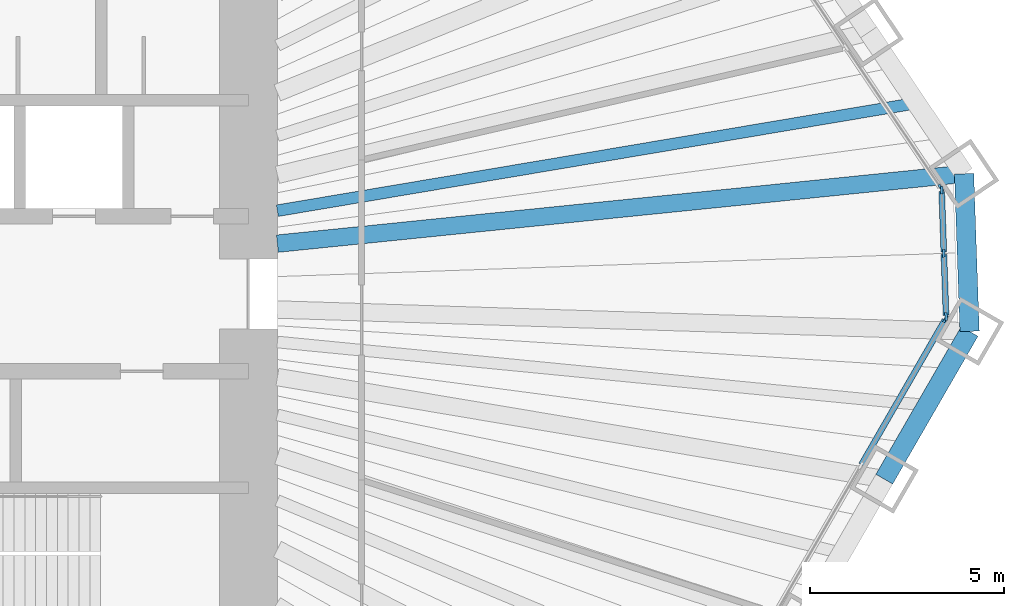
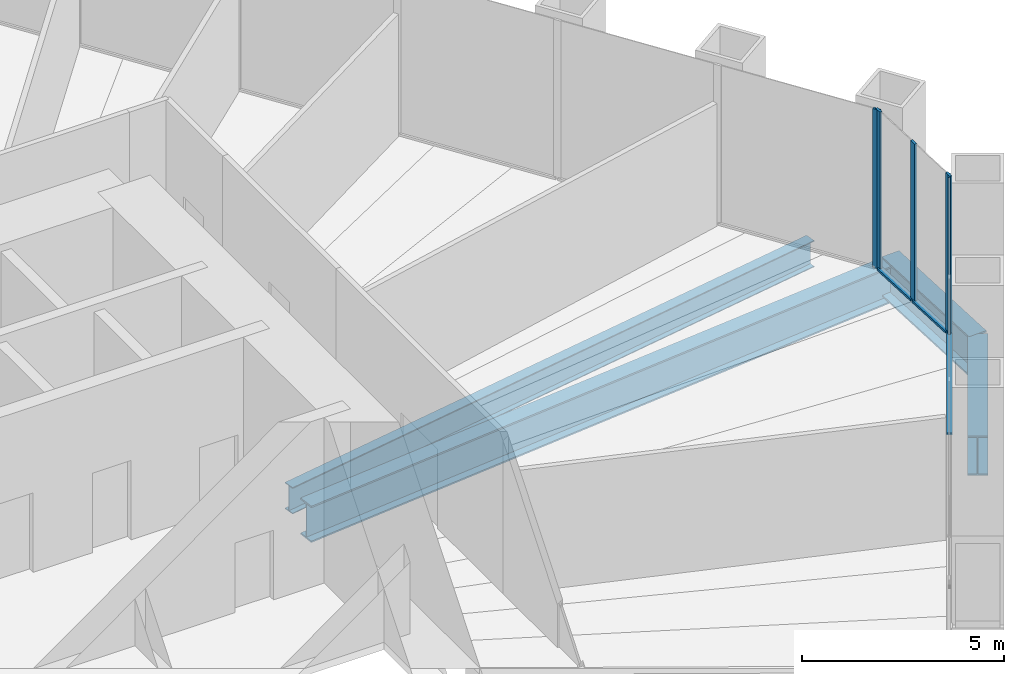
# One storey, part 5 of 14: 8 members, 4 beams, 3 elements without a shape of their own.
"""IFC4 building model written with IfcOpenShell, lengths in metres."""

from ifc_helpers import new_model, si_unit, direction, frame, origin, origin_2d, place, context, subcontext, project, spatial, rectangle, i_section, extrude, material, material_profile, profile_set, type_object, element, aggregate, save


model = new_model("IFC4")

# Units and contexts
model_context = context("Model", 3, precision=1e-05, world=origin(), true_north=direction((0.0, 1.0)))
body_context = subcontext(model_context, "Body", "Model", "MODEL_VIEW")
ifc_project = project(units=[si_unit("LENGTHUNIT", "METRE"), si_unit("AREAUNIT", "SQUARE_METRE"), si_unit("VOLUMEUNIT", "CUBIC_METRE"), si_unit("PLANEANGLEUNIT", "RADIAN"), si_unit("MASSUNIT", "GRAM", prefix="KILO")], contexts=[model_context])

# Site, building, storey
site_placement = place(None, origin())
site = spatial("IfcSite", under=ifc_project, at=site_placement, CompositionType="ELEMENT")
building_placement = place(site_placement, origin())
building = spatial("IfcBuilding", under=site, at=building_placement, Name="Qingtian Harvest Tower", CompositionType="ELEMENT")
storey_placement = place(building_placement, frame((0.0, 0.0, 82.0)))
storey = spatial("IfcBuildingStorey", under=building, at=storey_placement, Name="L16", CompositionType="ELEMENT", Elevation=82.0)

# Beams
ifc_material_1 = material(Name="Steel SM570MC", Category="steel")
ifc_material_profile_1 = material_profile(ifc_material_1, i_section(OverallWidth=0.449951171875, OverallDepth=1.10009765625, WebThickness=0.02197265625, FlangeThickness=0.044921875, at=origin_2d()), Name="H1100x450x22x45")
ifc_profile_set_1 = profile_set([ifc_material_profile_1], Name="Steel SM570MC")
beam_type_1 = type_object("IfcBeamType", Name="Corner floor beam FB8 H1100x450x22x45", PredefinedType="BEAM", material=ifc_profile_set_1)
beam_1_placement = place(storey_placement, frame((30.476318359375, 3.100830078125, -0.75), z_axis=(-0.994864371567, -0.101217005423, 0.0), x_axis=(0.101217005423, -0.994864371567, 0.0)))
element("IfcBeam", 1, at=beam_1_placement, inside=storey, type_object=beam_type_1, Name="Floor beam FB8 NE6", PredefinedType="BEAM", context=body_context, shape_type="SweptSolid", body=[
    extrude(i_section(OverallWidth=0.449951171875, OverallDepth=1.10009765625, WebThickness=0.02197265625, FlangeThickness=0.044921875, at=origin_2d()), origin(), (0.0, 0.0, 1.0), 17.81787109375),
])
ifc_material_2 = material(Name="Steel SN490B", Category="steel")
ifc_material_profile_2 = material_profile(ifc_material_2, i_section(OverallWidth=0.300048828125, OverallDepth=0.800048828125, WebThickness=0.013916015625, FlangeThickness=0.02587890625, at=origin_2d()), Name="H800x300x14x26")
ifc_profile_set_2 = profile_set([ifc_material_profile_2], Name="Steel SN490B")
beam_type_2 = type_object("IfcBeamType", Name="Floor joist J1 H800x300x14x26", PredefinedType="JOIST", material=ifc_profile_set_2)
beam_2_placement = place(storey_placement, frame((29.244873046875, 4.926513671875, -0.60009765625), z_axis=(-0.986107238024, -0.166109948877, 0.0), x_axis=(0.166109948877, -0.986107238024, 0.0)))
element("IfcBeam", 2, at=beam_2_placement, inside=storey, type_object=beam_type_2, Name="Floor joist J1 NE5", PredefinedType="JOIST", context=body_context, shape_type="SweptSolid", body=[
    extrude(i_section(OverallWidth=0.300048828125, OverallDepth=0.800048828125, WebThickness=0.013916015625, FlangeThickness=0.02587890625, at=origin_2d()), origin(), (0.0, 0.0, 1.0), 16.727294921875),
])

# Curtain wall, member
ifc_material_3 = material(Name="Bronze-anodised aluminium curtain wall", Category="aluminium")
curtain_wall_type = type_object("IfcCurtainWallType", Name="Curtain wall CW2 farm reception", PredefinedType="USERDEFINED", material=ifc_material_3)
curtain_wall_1_placement = place(storey_placement, origin())
curtain_wall_1 = element("IfcCurtainWall", 3, at=curtain_wall_1_placement, inside=storey, type_object=curtain_wall_type, Name="Curtain wall CW2 L16 NE0-5", ObjectType="RECESSED CURTAIN WALL", PredefinedType="USERDEFINED")
ifc_material_4 = material(Name="Bronze-anodised aluminium mullion", Category="aluminium")
ifc_material_profile_3 = material_profile(ifc_material_4, rectangle(XDim=0.06494140625, YDim=0.199951171875, at=origin_2d()), Name="AL 65x200")
ifc_profile_set_3 = profile_set([ifc_material_profile_3], Name="Bronze-anodised aluminium mullion")
member_type_1 = type_object("IfcMemberType", Name="Mullion CWM 65x200", PredefinedType="MULLION", material=ifc_profile_set_3)
member_1_placement = place(storey_placement, frame((29.8779296875, 2.736328125, 0.0), z_axis=(0.0, 0.0, 1.0), x_axis=(0.829037572555, 0.559192903471, 0.0)))
member_1 = element("IfcMember", 4, at=member_1_placement, type_object=member_type_1, Name="CW2 mullion 7", PredefinedType="MULLION", context=body_context, shape_type="SweptSolid", body=[
    extrude(rectangle(XDim=0.06494140625, YDim=0.199951171875, at=origin_2d()), origin(), (0.0, 0.0, 1.0), 4.800048828125),
])
aggregate(curtain_wall_1, [member_1])

# Curtain wall, members
curtain_wall_2_placement = place(storey_placement, origin())
curtain_wall_2 = element("IfcCurtainWall", 5, at=curtain_wall_2_placement, inside=storey, type_object=curtain_wall_type, Name="Curtain wall CW2 L16 NEC", ObjectType="RECESSED CURTAIN WALL", PredefinedType="USERDEFINED")
member_2_placement = place(storey_placement, frame((29.897216796875, 2.677001953125, 0.0), z_axis=(0.0, 0.0, 1.0), x_axis=(0.999390827019, 0.034899496703, 0.0)))
member_2 = element("IfcMember", 6, at=member_2_placement, type_object=member_type_1, Name="CW2 mullion 1", PredefinedType="MULLION", context=body_context, shape_type="SweptSolid", body=[
    extrude(rectangle(XDim=0.06494140625, YDim=0.199951171875, at=origin_2d()), origin(), (0.0, 0.0, 1.0), 4.800048828125),
])
member_3_placement = place(storey_placement, frame((29.9541015625, 1.046142578125, 0.0), z_axis=(0.0, 0.0, 1.0), x_axis=(0.999390827019, 0.034899496703, 0.0)))
member_3 = element("IfcMember", 7, at=member_3_placement, type_object=member_type_1, Name="CW2 mullion 2", PredefinedType="MULLION", context=body_context, shape_type="SweptSolid", body=[
    extrude(rectangle(XDim=0.06494140625, YDim=0.199951171875, at=origin_2d()), origin(), (0.0, 0.0, 1.0), 4.800048828125),
])
member_4_placement = place(storey_placement, frame((30.010986328125, -0.5849609375, 0.0), z_axis=(0.0, 0.0, 1.0), x_axis=(0.999390827019, 0.034899496703, 0.0)))
member_4 = element("IfcMember", 8, at=member_4_placement, type_object=member_type_1, Name="CW2 mullion 3", PredefinedType="MULLION", context=body_context, shape_type="SweptSolid", body=[
    extrude(rectangle(XDim=0.06494140625, YDim=0.199951171875, at=origin_2d()), origin(), (0.0, 0.0, 1.0), 4.800048828125),
])

# Curtain wall, member
curtain_wall_3_placement = place(storey_placement, origin())
curtain_wall_3 = element("IfcCurtainWall", 9, at=curtain_wall_3_placement, inside=storey, type_object=curtain_wall_type, Name="Curtain wall CW2 L16 SE0-5", ObjectType="RECESSED CURTAIN WALL", PredefinedType="USERDEFINED")
member_5_placement = place(storey_placement, frame((29.995849609375, -0.6455078125, 0.0), z_axis=(0.0, 0.0, 1.0), x_axis=(0.866025403784, -0.5, 0.0)))
member_5 = element("IfcMember", 10, at=member_5_placement, type_object=member_type_1, Name="CW2 mullion 1", PredefinedType="MULLION", context=body_context, shape_type="SweptSolid", body=[
    extrude(rectangle(XDim=0.06494140625, YDim=0.199951171875, at=origin_2d()), origin(), (0.0, 0.0, 1.0), 4.800048828125),
])

# Beams
ifc_material_5 = material(Name="Steel SM570MC", Category="steel")
ifc_material_profile_4 = material_profile(ifc_material_5, i_section(OverallWidth=0.5, OverallDepth=1.199951171875, WebThickness=0.02490234375, FlangeThickness=0.050048828125, at=origin_2d()), Name="H1200x500x25x50")
ifc_profile_set_4 = profile_set([ifc_material_profile_4], Name="Steel SM570MC")
beam_type_3 = type_object("IfcBeamType", Name="Spandrel beam SB1 H1200x500x25x50", PredefinedType="SPANDREL", material=ifc_profile_set_4)
beam_3_placement = place(storey_placement, frame((30.476318359375, 3.100830078125, -0.60009765625), z_axis=(0.03490639867, -0.999390585973, 0.0), x_axis=(0.999390585973, 0.03490639867, 0.0)))
element("IfcBeam", 11, at=beam_3_placement, inside=storey, type_object=beam_type_3, Name="Spandrel SB1 NEC", PredefinedType="SPANDREL", context=body_context, shape_type="SweptSolid", body=[
    extrude(i_section(OverallWidth=0.5, OverallDepth=1.199951171875, WebThickness=0.02490234375, FlangeThickness=0.050048828125, at=origin_2d()), origin(), (0.0, 0.0, 1.0), 4.070556640625),
])
beam_4_placement = place(storey_placement, frame((30.618408203125, -0.96728515625, -0.60009765625), z_axis=(-0.50001992892, -0.866013897511, 0.0), x_axis=(0.866013897511, -0.50001992892, 0.0)))
element("IfcBeam", 12, at=beam_4_placement, inside=storey, type_object=beam_type_3, Name="Spandrel SB1 SE0", PredefinedType="SPANDREL", context=body_context, shape_type="SweptSolid", body=[
    extrude(i_section(OverallWidth=0.5, OverallDepth=1.199951171875, WebThickness=0.02490234375, FlangeThickness=0.050048828125, at=origin_2d()), origin(), (0.0, 0.0, 1.0), 4.404541015625),
])

# Member
ifc_material_6 = material(Name="Bronze-anodised aluminium transom", Category="aluminium")
ifc_material_profile_5 = material_profile(ifc_material_6, rectangle(XDim=0.14990234375, YDim=0.06494140625, at=origin_2d()), Name="AL 65x150")
ifc_profile_set_5 = profile_set([ifc_material_profile_5], Name="Bronze-anodised aluminium transom")
member_type_2 = type_object("IfcMemberType", Name="Transom CWT 65x150", PredefinedType="USERDEFINED", material=ifc_profile_set_5)
member_6_placement = place(storey_placement, frame((29.898193359375, 2.64453125, 0.032470703125), z_axis=(0.034902326647, -0.999390728191, 0.0), x_axis=(0.999390728191, 0.034902326647, 0.0)))
member_6 = element("IfcMember", 13, at=member_6_placement, type_object=member_type_2, Name="CW2 transom 1.1", ObjectType="TRANSOM", PredefinedType="USERDEFINED", context=body_context, shape_type="SweptSolid", body=[
    extrude(rectangle(XDim=0.14990234375, YDim=0.06494140625, at=origin_2d()), origin(), (0.0, 0.0, 1.0), 1.56689453125),
])

member_7_placement = place(storey_placement, frame((29.955322265625, 1.013427734375, 0.032470703125), z_axis=(0.034902326647, -0.999390728191, 0.0), x_axis=(0.999390728191, 0.034902326647, 0.0)))
member_7 = element("IfcMember", 14, at=member_7_placement, type_object=member_type_2, Name="CW2 transom 2.1", ObjectType="TRANSOM", PredefinedType="USERDEFINED", context=body_context, shape_type="SweptSolid", body=[
    extrude(rectangle(XDim=0.14990234375, YDim=0.06494140625, at=origin_2d()), origin(), (0.0, 0.0, 1.0), 1.56689453125),
])

aggregate(curtain_wall_2, [member_2, member_3, member_4, member_6, member_7])

member_8_placement = place(storey_placement, frame((29.979736328125, -0.673583984375, 0.032470703125), z_axis=(-0.499985768833, -0.866033619997, 0.0), x_axis=(0.866033619997, -0.499985768833, 0.0)))
member_8 = element("IfcMember", 15, at=member_8_placement, type_object=member_type_2, Name="CW2 transom 1.1", ObjectType="TRANSOM", PredefinedType="USERDEFINED", context=body_context, shape_type="SweptSolid", body=[
    extrude(rectangle(XDim=0.14990234375, YDim=0.06494140625, at=origin_2d()), origin(), (0.0, 0.0, 1.0), 4.307373046875),
])

aggregate(curtain_wall_3, [member_5, member_8])

save(model, "model.ifc")
